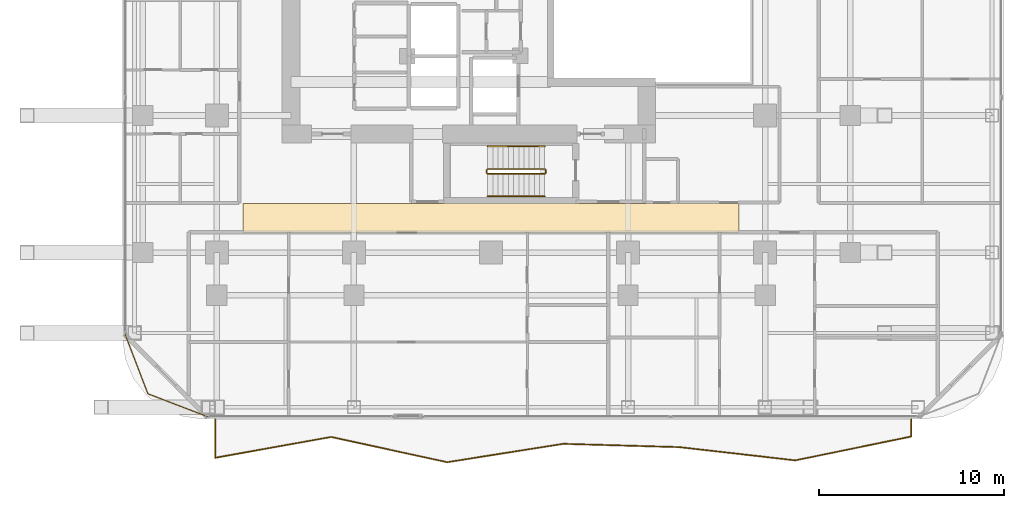
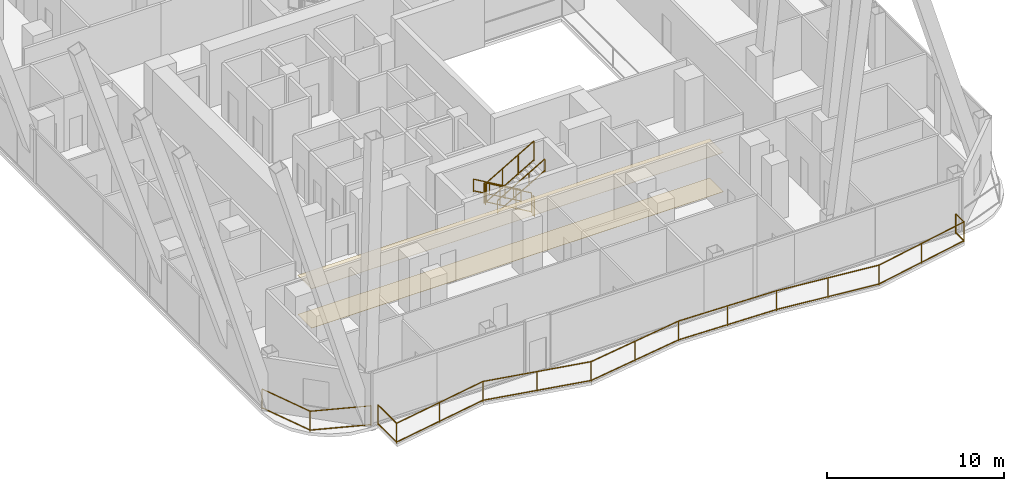
# One storey, part 30 of 32: 8 railings, 2 coverings.
"""IFC4 building model written with IfcOpenShell, lengths in metres."""

import ifcopenshell
import ifcopenshell.guid

model = None  # the IFC model being written
_history = None  # IfcOwnerHistory: only IFC2X3 demands one
_inside = {}  # id of a spatial element -> (the spatial element, [elements in it])
_under = {}  # id of a project, library or spatial element -> (it, [spatial elements below it])
_declared = {}  # id of a project -> (the project, [libraries it declares])
_typed = {}  # id of a type object -> (the type object, [elements of that type])
_made_of = {}  # id of a material, layer set ... -> (it, [elements and type objects made of it])


def new_model(schema):
    """Start an empty IFC model of exactly this schema.

    Asked for "IFC4X3", IfcOpenShell would pick the latest addendum, in which some entities
    have other attributes; the version numbers below select the first issue.
    IFC2X3 requires an IfcOwnerHistory on every rooted entity: one is made here for all.
    """
    global model, _history
    if schema == "IFC4X3":
        model = ifcopenshell.file(schema_version=(4, 3, 0, 0))
    else:
        model = ifcopenshell.file(schema=schema)
    _inside.clear()
    _under.clear()
    _declared.clear()
    _typed.clear()
    _made_of.clear()
    _history = None
    if model.schema == "IFC2X3":
        org = make("IfcOrganization", Name="unknown")
        user = make(
            "IfcPersonAndOrganization",
            ThePerson=make("IfcPerson", FamilyName="unknown"),
            TheOrganization=org,
        )
        app = make(
            "IfcApplication",
            ApplicationDeveloper=org,
            Version="unknown",
            ApplicationFullName="unknown",
            ApplicationIdentifier="unknown",
        )
        _history = make(
            "IfcOwnerHistory",
            OwningUser=user,
            OwningApplication=app,
            ChangeAction="ADDED",
            CreationDate=0,
        )
    return model


def make(cls, **values):
    """One entity of the class cls with the attributes given. An attribute that is None is left unset."""
    return model.create_entity(
        cls, **{name: value for name, value in values.items() if value is not None}
    )


def rooted(cls, **values):
    """An entity with a GlobalId (a new one), such as an element, a storey or a relation."""
    return make(cls, GlobalId=ifcopenshell.guid.new(), OwnerHistory=_history, **values)


def si_unit(unit_type, name, prefix=None):
    """IfcSIUnit, for example si_unit("LENGTHUNIT", "METRE", prefix="MILLI")."""
    return make("IfcSIUnit", UnitType=unit_type, Prefix=prefix, Name=name)


def assignment(units):
    """IfcUnitAssignment: the units of a project."""
    return None if units is None else make("IfcUnitAssignment", Units=units)


def point(xyz):
    """IfcCartesianPoint."""
    return None if xyz is None else make("IfcCartesianPoint", Coordinates=xyz)


def direction(xyz):
    """IfcDirection."""
    return None if xyz is None else make("IfcDirection", DirectionRatios=xyz)


def frame(location, z_axis=None, x_axis=None):
    """IfcAxis2Placement3D, a coordinate frame: its origin and axes. An axis left out is left unset."""
    return make(
        "IfcAxis2Placement3D",
        Location=point(location),
        Axis=direction(z_axis),
        RefDirection=direction(x_axis),
    )


def frame_2d(location, x_axis=None):
    """IfcAxis2Placement2D, a coordinate frame in the plane: its origin and x axis."""
    return make(
        "IfcAxis2Placement2D", Location=point(location), RefDirection=direction(x_axis)
    )


def origin():
    """The frame at (0, 0, 0) with its axes left unset."""
    return frame((0.0, 0.0, 0.0))


def origin_2d():
    """The frame at (0, 0) in the plane with its x axis left unset."""
    return frame_2d((0.0, 0.0))


def place(relative_to, where):
    """IfcLocalPlacement: puts the frame where relative to a parent placement (None: the world)."""
    return make(
        "IfcLocalPlacement", PlacementRelTo=relative_to, RelativePlacement=where
    )


def context(
    kind, dimensions, precision=None, world=None, true_north=None, identifier=None
):
    """IfcGeometricRepresentationContext, for example the 3D "Model" context."""
    return make(
        "IfcGeometricRepresentationContext",
        ContextIdentifier=identifier,
        ContextType=kind,
        CoordinateSpaceDimension=dimensions,
        Precision=precision,
        WorldCoordinateSystem=world,
        TrueNorth=true_north,
    )


def subcontext(parent, identifier, kind, view, scale=None):
    """IfcGeometricRepresentationSubContext, for example "Body" below "Model"."""
    return make(
        "IfcGeometricRepresentationSubContext",
        ContextIdentifier=identifier,
        ContextType=kind,
        ParentContext=parent,
        TargetScale=scale,
        TargetView=view,
    )


def project(units=None, contexts=None):
    """IfcProject with its units and contexts."""
    return rooted(
        "IfcProject",
        Name="project",
        RepresentationContexts=contexts,
        UnitsInContext=assignment(units),
    )


def spatial(cls, under=None, at=None, **own):
    """A site, building, storey or space (cls), placed at a placement, below another one or the project."""
    s = rooted(cls, ObjectPlacement=at, **own)
    if under is not None:
        _under.setdefault(under.id(), (under, []))[1].append(s)
    return s


def polyline(points):
    """IfcPolyline through the points."""
    return make("IfcPolyline", Points=[point(p) for p in points])


def profile(cls, at=None, kind="AREA", **sizes):
    """A parametric profile (cls). Its sizes go by their IFC names, for example OverallWidth=200.0."""
    return make(cls, ProfileType=kind, Position=at, **sizes)


def rectangle(**sizes):
    """IfcRectangleProfileDef."""
    return profile("IfcRectangleProfileDef", **sizes)


def outline(outer, holes=None, kind="AREA"):
    """IfcArbitraryClosedProfileDef: a profile drawn as a closed curve; with holes, ...WithVoids."""
    if holes is None:
        return make("IfcArbitraryClosedProfileDef", ProfileType=kind, OuterCurve=outer)
    return make(
        "IfcArbitraryProfileDefWithVoids",
        ProfileType=kind,
        OuterCurve=outer,
        InnerCurves=holes,
    )


def extrude(swept, where, along, depth):
    """IfcExtrudedAreaSolid: the profile swept, set in the frame where, extruded along a direction by depth."""
    return make(
        "IfcExtrudedAreaSolid",
        SweptArea=swept,
        Position=where,
        ExtrudedDirection=direction(along),
        Depth=depth,
    )


def shape(context_of_items, identifier, shape_type, items):
    """IfcShapeRepresentation: the items that make up one representation, for example the "Body"."""
    return make(
        "IfcShapeRepresentation",
        ContextOfItems=context_of_items,
        RepresentationIdentifier=identifier,
        RepresentationType=shape_type,
        Items=items,
    )


def material(Name=None, Category=None):
    """IfcMaterial."""
    return make("IfcMaterial", Name=Name, Category=Category)


def layer(
    of_material, thickness, ventilated=None, Name=None, Category=None, Priority=None
):
    """IfcMaterialLayer: one layer of a wall or slab, of a material (None: an air gap)."""
    return make(
        "IfcMaterialLayer",
        Material=of_material,
        LayerThickness=thickness,
        IsVentilated=ventilated,
        Name=Name,
        Category=Category,
        Priority=Priority,
    )


def layer_set(layers, Name=None):
    """IfcMaterialLayerSet."""
    return make("IfcMaterialLayerSet", MaterialLayers=layers, LayerSetName=Name)


def made_of(thing, what):
    """Note that an element or type object is made of a material, layer set ...; save() writes the relation."""
    if what is not None:
        _made_of.setdefault(what.id(), (what, []))[1].append(thing)
    return thing


def type_object(cls, material=None, **own):
    """A type object (cls), such as IfcWallType, which elements share."""
    return made_of(rooted(cls, **own), material)


def element(
    cls,
    number,
    at=None,
    inside=None,
    cuts=None,
    type_object=None,
    material=None,
    context=None,
    identifier="Body",
    shape_type=None,
    held_by="IfcProductDefinitionShape",
    body=None,
    shapes=None,
    **own,
):
    """One element of the class cls, such as IfcWall. Its Tag is "e" and its number.

    at: its placement. inside: the storey or other place that contains it. cuts: it is an
    opening in that element (IfcRelVoidsElement). A single representation is given by context,
    identifier, shape_type and body (its items); several are given by shapes. held_by: the class
    of the entity that holds the representations. save() writes the other relations.
    """
    e = rooted(cls, Tag="e%d" % number, ObjectPlacement=at, **own)
    if body is not None:
        shapes = [shape(context, identifier, shape_type, body)]
    if shapes is not None:
        e.Representation = make(held_by, Representations=shapes)
    if inside is not None:
        _inside.setdefault(inside.id(), (inside, []))[1].append(e)
    if cuts is not None:
        rooted(
            "IfcRelVoidsElement", RelatingBuildingElement=cuts, RelatedOpeningElement=e
        )
    if type_object is not None:
        _typed.setdefault(type_object.id(), (type_object, []))[1].append(e)
    return made_of(e, material)


def aggregate(whole, parts):
    """IfcRelAggregates: a whole, such as a stair, and the parts it consists of."""
    return rooted("IfcRelAggregates", RelatingObject=whole, RelatedObjects=parts)


def save(model, path):
    """Write the relations noted so far, then the file.

    IfcRelAggregates (storeys below a building ...), IfcRelContainedInSpatialStructure (elements
    in a storey), IfcRelDefinesByType, IfcRelAssociatesMaterial and IfcRelDeclares: one each for
    every whole, place, type object, material and project.
    """
    for whole, parts in _under.values():
        aggregate(whole, parts)
    for where, things in _inside.values():
        rooted(
            "IfcRelContainedInSpatialStructure",
            RelatedElements=things,
            RelatingStructure=where,
        )
    for kind, things in _typed.values():
        rooted("IfcRelDefinesByType", RelatedObjects=things, RelatingType=kind)
    for what, things in _made_of.values():
        rooted("IfcRelAssociatesMaterial", RelatedObjects=things, RelatingMaterial=what)
    for by, libraries in _declared.values():
        rooted("IfcRelDeclares", RelatingContext=by, RelatedDefinitions=libraries)
    model.write(path)


model = new_model("IFC4")

# Units and contexts
model_context = context("Model", 3, precision=1e-05, world=origin(), true_north=direction((0.0, 1.0)))
body_context = subcontext(model_context, "Body", "Model", "MODEL_VIEW")
ifc_project = project(units=[si_unit("LENGTHUNIT", "METRE"), si_unit("AREAUNIT", "SQUARE_METRE"), si_unit("VOLUMEUNIT", "CUBIC_METRE"), si_unit("PLANEANGLEUNIT", "RADIAN"), si_unit("MASSUNIT", "GRAM", prefix="KILO")], contexts=[model_context])

# Site, building, storey
site_placement = place(None, origin())
site = spatial("IfcSite", under=ifc_project, at=site_placement, CompositionType="ELEMENT")
building_placement = place(site_placement, origin())
building = spatial("IfcBuilding", under=site, at=building_placement, Name="Khorvyn Point Tower", CompositionType="ELEMENT")
storey_placement = place(building_placement, frame((0.0, 0.0, 148.5)))
storey = spatial("IfcBuildingStorey", under=building, at=storey_placement, Name="L37", CompositionType="ELEMENT", Elevation=148.5)

# Railings
ifc_material_1 = material(Name="Anodised aluminium 6063-T6 and laminated safety glass", Category="aluminium")
railing_type_1 = type_object("IfcRailingType", Name="Laminated Glass and Aluminium Balcony Guardrail 1400", PredefinedType="BALUSTRADE", material=ifc_material_1)
railing_1_placement = place(storey_placement, frame((-19.774169921875, -19.176025390625, 0.0)))
element("IfcRailing", 1, at=railing_1_placement, inside=storey, type_object=railing_type_1, Name="L37 Rounded Corner Edge Guardrail SW", PredefinedType="BALUSTRADE", context=body_context, shape_type="SweptSolid", body=[
    extrude(rectangle(XDim=0.048095703125, YDim=0.048095703125, at=origin_2d()), frame((0.0, 0.0, 1.3759765625), z_axis=(0.358382264808, -0.933574931257, 0.0), x_axis=(0.933574931257, 0.358382264808, 0.0)), (0.0, 0.0, 1.0), 3.481689453125),
    extrude(rectangle(XDim=0.048095703125, YDim=0.048095703125, at=origin_2d()), frame((0.0, 0.0, 0.080078125), z_axis=(0.358382264808, -0.933574931257, 0.0), x_axis=(0.933574931257, 0.358382264808, 0.0)), (0.0, 0.0, 1.0), 3.481689453125),
    extrude(rectangle(XDim=0.048095703125, YDim=0.048095703125, at=origin_2d()), frame((1.247802734375, -3.25048828125, 1.3759765625), z_axis=(0.933598390295, -0.358321148746, 0.0), x_axis=(0.358321148746, 0.933598390295, 0.0)), (0.0, 0.0, 1.0), 3.481689453125),
    extrude(rectangle(XDim=0.048095703125, YDim=0.048095703125, at=origin_2d()), frame((1.247802734375, -3.25048828125, 0.080078125), z_axis=(0.933598390295, -0.358321148746, 0.0), x_axis=(0.358321148746, 0.933598390295, 0.0)), (0.0, 0.0, 1.0), 3.481689453125),
    extrude(rectangle(XDim=0.0419921875, YDim=0.0419921875, at=origin_2d()), origin(), (0.0, 0.0, 1.0), 1.351806640625),
    extrude(rectangle(XDim=0.0419921875, YDim=0.0419921875, at=origin_2d()), frame((1.247802734375, -3.25048828125, 0.0)), (0.0, 0.0, 1.0), 1.351806640625),
    extrude(rectangle(XDim=0.0419921875, YDim=0.0419921875, at=origin_2d()), frame((4.498291015625, -4.498046875, 0.0)), (0.0, 0.0, 1.0), 1.351806640625),
])
railing_2_placement = place(storey_placement, frame((-14.89990234375, -23.800048828125, 0.0)))
element("IfcRailing", 2, at=railing_2_placement, inside=storey, type_object=railing_type_1, Name="L37 South Balcony Guardrail", PredefinedType="BALUSTRADE", context=body_context, shape_type="SweptSolid", body=[
    extrude(rectangle(XDim=0.048095703125, YDim=0.048095703125, at=origin_2d()), frame((0.0, 0.0, 1.3759765625), z_axis=(0.0, -1.0, 0.0), x_axis=(1.0, 0.0, 0.0)), (0.0, 0.0, 1.0), 2.08349609375),
    extrude(rectangle(XDim=0.048095703125, YDim=0.048095703125, at=origin_2d()), frame((0.0, 0.0, 0.080078125), z_axis=(0.0, -1.0, 0.0), x_axis=(1.0, 0.0, 0.0)), (0.0, 0.0, 1.0), 2.08349609375),
    extrude(rectangle(XDim=0.048095703125, YDim=0.048095703125, at=origin_2d()), frame((0.0, -2.08349609375, 1.3759765625), z_axis=(0.984225013532, 0.176921233148, 0.0), x_axis=(-0.176921233148, 0.984225013532, 0.0)), (0.0, 0.0, 1.0), 6.366943359375),
    extrude(rectangle(XDim=0.048095703125, YDim=0.048095703125, at=origin_2d()), frame((0.0, -2.08349609375, 0.080078125), z_axis=(0.984225013532, 0.176921233148, 0.0), x_axis=(-0.176921233148, 0.984225013532, 0.0)), (0.0, 0.0, 1.0), 6.366943359375),
    extrude(rectangle(XDim=0.048095703125, YDim=0.048095703125, at=origin_2d()), frame((6.2666015625, -0.95703125, 1.3759765625), z_axis=(0.97716055631, -0.212502346319, 0.0), x_axis=(0.212502346319, 0.97716055631, 0.0)), (0.0, 0.0, 1.0), 6.4130859375),
    extrude(rectangle(XDim=0.048095703125, YDim=0.048095703125, at=origin_2d()), frame((6.2666015625, -0.95703125, 0.080078125), z_axis=(0.97716055631, -0.212502346319, 0.0), x_axis=(0.212502346319, 0.97716055631, 0.0)), (0.0, 0.0, 1.0), 6.4130859375),
    extrude(rectangle(XDim=0.048095703125, YDim=0.048095703125, at=origin_2d()), frame((12.533203125, -2.31982421875, 1.3759765625), z_axis=(0.987714557358, 0.156268849051, 0.0), x_axis=(-0.156268849051, 0.987714557358, 0.0)), (0.0, 0.0, 1.0), 6.344482421875),
    extrude(rectangle(XDim=0.048095703125, YDim=0.048095703125, at=origin_2d()), frame((12.533203125, -2.31982421875, 0.080078125), z_axis=(0.987714557358, 0.156268849051, 0.0), x_axis=(-0.156268849051, 0.987714557358, 0.0)), (0.0, 0.0, 1.0), 6.344482421875),
    extrude(rectangle(XDim=0.048095703125, YDim=0.048095703125, at=origin_2d()), frame((18.7998046875, -1.328369140625, 1.3759765625), z_axis=(0.999594750209, -0.028466389902, 0.0), x_axis=(0.028466389902, 0.999594750209, 0.0)), (0.0, 0.0, 1.0), 6.269287109375),
    extrude(rectangle(XDim=0.048095703125, YDim=0.048095703125, at=origin_2d()), frame((18.7998046875, -1.328369140625, 0.080078125), z_axis=(0.999594750209, -0.028466389902, 0.0), x_axis=(0.028466389902, 0.999594750209, 0.0)), (0.0, 0.0, 1.0), 6.269287109375),
    extrude(rectangle(XDim=0.048095703125, YDim=0.048095703125, at=origin_2d()), frame((25.066650390625, -1.5068359375, 1.3759765625), z_axis=(0.993569675103, -0.113222350774, 0.0), x_axis=(0.113222350774, 0.993569675103, 0.0)), (0.0, 0.0, 1.0), 6.30712890625),
    extrude(rectangle(XDim=0.048095703125, YDim=0.048095703125, at=origin_2d()), frame((25.066650390625, -1.5068359375, 0.080078125), z_axis=(0.993569675103, -0.113222350774, 0.0), x_axis=(0.113222350774, 0.993569675103, 0.0)), (0.0, 0.0, 1.0), 6.30712890625),
    extrude(rectangle(XDim=0.048095703125, YDim=0.048095703125, at=origin_2d()), frame((31.333251953125, -2.220947265625, 1.3759765625), z_axis=(0.979506669863, 0.201411726801, 0.0), x_axis=(-0.201411726801, 0.979506669863, 0.0)), (0.0, 0.0, 1.0), 6.397705078125),
    extrude(rectangle(XDim=0.048095703125, YDim=0.048095703125, at=origin_2d()), frame((31.333251953125, -2.220947265625, 0.080078125), z_axis=(0.979506669863, 0.201411726801, 0.0), x_axis=(-0.201411726801, 0.979506669863, 0.0)), (0.0, 0.0, 1.0), 6.397705078125),
    extrude(rectangle(XDim=0.048095703125, YDim=0.048095703125, at=origin_2d()), frame((37.599853515625, -0.932373046875, 1.3759765625), z_axis=(0.0, 1.0, 0.0), x_axis=(-1.0, 0.0, 0.0)), (0.0, 0.0, 1.0), 0.932373046875),
    extrude(rectangle(XDim=0.048095703125, YDim=0.048095703125, at=origin_2d()), frame((37.599853515625, -0.932373046875, 0.080078125), z_axis=(0.0, 1.0, 0.0), x_axis=(-1.0, 0.0, 0.0)), (0.0, 0.0, 1.0), 0.932373046875),
    extrude(rectangle(XDim=0.0419921875, YDim=0.0419921875, at=origin_2d()), origin(), (0.0, 0.0, 1.0), 1.351806640625),
    extrude(rectangle(XDim=0.0419921875, YDim=0.0419921875, at=origin_2d()), frame((0.0, -2.08349609375, 0.0)), (0.0, 0.0, 1.0), 1.351806640625),
    extrude(rectangle(XDim=0.0419921875, YDim=0.0419921875, at=origin_2d()), frame((3.13330078125, -1.520263671875, 0.0)), (0.0, 0.0, 1.0), 1.351806640625),
    extrude(rectangle(XDim=0.0419921875, YDim=0.0419921875, at=origin_2d()), frame((6.2666015625, -0.95703125, 0.0)), (0.0, 0.0, 1.0), 1.351806640625),
    extrude(rectangle(XDim=0.0419921875, YDim=0.0419921875, at=origin_2d()), frame((9.39990234375, -1.638427734375, 0.0)), (0.0, 0.0, 1.0), 1.351806640625),
    extrude(rectangle(XDim=0.0419921875, YDim=0.0419921875, at=origin_2d()), frame((12.533203125, -2.31982421875, 0.0)), (0.0, 0.0, 1.0), 1.351806640625),
    extrude(rectangle(XDim=0.0419921875, YDim=0.0419921875, at=origin_2d()), frame((15.66650390625, -1.82421875, 0.0)), (0.0, 0.0, 1.0), 1.351806640625),
    extrude(rectangle(XDim=0.0419921875, YDim=0.0419921875, at=origin_2d()), frame((18.7998046875, -1.328369140625, 0.0)), (0.0, 0.0, 1.0), 1.351806640625),
    extrude(rectangle(XDim=0.0419921875, YDim=0.0419921875, at=origin_2d()), frame((21.93310546875, -1.41748046875, 0.0)), (0.0, 0.0, 1.0), 1.351806640625),
    extrude(rectangle(XDim=0.0419921875, YDim=0.0419921875, at=origin_2d()), frame((25.066650390625, -1.5068359375, 0.0)), (0.0, 0.0, 1.0), 1.351806640625),
    extrude(rectangle(XDim=0.0419921875, YDim=0.0419921875, at=origin_2d()), frame((28.199951171875, -1.86376953125, 0.0)), (0.0, 0.0, 1.0), 1.351806640625),
    extrude(rectangle(XDim=0.0419921875, YDim=0.0419921875, at=origin_2d()), frame((31.333251953125, -2.220947265625, 0.0)), (0.0, 0.0, 1.0), 1.351806640625),
    extrude(rectangle(XDim=0.0419921875, YDim=0.0419921875, at=origin_2d()), frame((34.466552734375, -1.57666015625, 0.0)), (0.0, 0.0, 1.0), 1.351806640625),
    extrude(rectangle(XDim=0.0419921875, YDim=0.0419921875, at=origin_2d()), frame((37.599853515625, -0.932373046875, 0.0)), (0.0, 0.0, 1.0), 1.351806640625),
    extrude(rectangle(XDim=0.0419921875, YDim=0.0419921875, at=origin_2d()), frame((37.599853515625, 0.0, 0.0)), (0.0, 0.0, 1.0), 1.351806640625),
])

# Coverings
ifc_material_2 = material(Name="Mineral-fibre acoustic ceiling board", Category="gypsum")
ifc_layer_1 = layer(ifc_material_2, 0.02001953125)
ifc_layer_set_1 = layer_set([ifc_layer_1], Name="Perforated Mineral-Fibre Acoustic Suspended Ceiling 20")
covering_type_1 = type_object("IfcCoveringType", Name="Perforated Mineral-Fibre Acoustic Suspended Ceiling 20", PredefinedType="CEILING", material=ifc_layer_set_1)
covering_1_placement = place(storey_placement, frame((0.0, 0.0, 2.699951171875)))
element("IfcCovering", 3, at=covering_1_placement, inside=storey, type_object=covering_type_1, Name="L37 South Corridor Acoustic Ceiling", PredefinedType="CEILING", context=body_context, shape_type="SweptSolid", body=[
    extrude(outline(polyline([(-13.39990234375, -13.7099609375), (13.39990234375, -13.7099609375), (13.39990234375, -12.139892578125), (-13.39990234375, -12.139892578125), (-13.39990234375, -13.7099609375)])), origin(), (0.0, 0.0, 1.0), 0.02001953125),
])
ifc_material_3 = material(Name="Vitrified porcelain terrazzo tile", Category="ceramic")
ifc_layer_2 = layer(ifc_material_3, 0.01806640625)
ifc_layer_set_2 = layer_set([ifc_layer_2], Name="Porcelain Terrazzo Corridor Floor Finish Tile 18")
covering_type_2 = type_object("IfcCoveringType", Name="Porcelain Terrazzo Corridor Floor Finish Tile 18", PredefinedType="FLOORING", material=ifc_layer_set_2)
covering_2_placement = place(storey_placement, origin())
element("IfcCovering", 4, at=covering_2_placement, inside=storey, type_object=covering_type_2, Name="L37 South Corridor Terrazzo Flooring", PredefinedType="FLOORING", context=body_context, shape_type="SweptSolid", body=[
    extrude(outline(polyline([(-13.39990234375, -13.7099609375), (13.39990234375, -13.7099609375), (13.39990234375, -12.139892578125), (-13.39990234375, -12.139892578125), (-13.39990234375, -13.7099609375)])), origin(), (0.0, 0.0, 1.0), 0.01806640625),
])

# Railings
ifc_material_4 = material(Name="Stainless steel 1.4301", Category="steel")
railing_type_2 = type_object("IfcRailingType", Name="Stainless Steel 304 Stair Pitch Handrail 900", PredefinedType="HANDRAIL", material=ifc_material_4)
railing_3_placement = place(storey_placement, frame((2.89990234375, -9.070068359375, 0.16259765625)))
element("IfcRailing", 5, at=railing_3_placement, inside=storey, type_object=railing_type_2, Name="L37 ST-01 stair handrail 1", PredefinedType="HANDRAIL", context=body_context, shape_type="SweptSolid", body=[
    extrude(rectangle(XDim=0.048095703125, YDim=0.048095703125, at=origin_2d()), frame((0.0, 0.0, 0.8759765625), z_axis=(-0.864903211148, 0.0, 0.501938676878), x_axis=(0.0, -1.0, 0.0)), (0.0, 0.0, 1.0), 3.560791015625),
    extrude(rectangle(XDim=0.048095703125, YDim=0.048095703125, at=origin_2d()), frame((0.0, 0.0, 0.080078125), z_axis=(-0.864903211148, 0.0, 0.501938676878), x_axis=(0.0, -1.0, 0.0)), (0.0, 0.0, 1.0), 3.560791015625),
    extrude(rectangle(XDim=0.0419921875, YDim=0.0419921875, at=origin_2d()), origin(), (0.0, 0.0, 1.0), 0.851806640625),
    extrude(rectangle(XDim=0.0419921875, YDim=0.0419921875, at=origin_2d()), frame((-1.026611328125, 0.0, 0.595703125)), (0.0, 0.0, 1.0), 0.851806640625),
    extrude(rectangle(XDim=0.0419921875, YDim=0.0419921875, at=origin_2d()), frame((-2.05322265625, 0.0, 1.191650390625)), (0.0, 0.0, 1.0), 0.851806640625),
    extrude(rectangle(XDim=0.0419921875, YDim=0.0419921875, at=origin_2d()), frame((-3.079833984375, 0.0, 1.787353515625)), (0.0, 0.0, 1.0), 0.851806640625),
])
railing_4_placement = place(storey_placement, frame((-0.179931640625, -11.77001953125, 2.112548828125)))
element("IfcRailing", 6, at=railing_4_placement, inside=storey, type_object=railing_type_2, Name="L37 ST-01 stair handrail 2", PredefinedType="HANDRAIL", context=body_context, shape_type="SweptSolid", body=[
    extrude(rectangle(XDim=0.048095703125, YDim=0.048095703125, at=origin_2d()), frame((0.0, 0.0, 0.8759765625), z_axis=(0.864903211148, 0.0, 0.501938676878), x_axis=(0.0, 1.0, 0.0)), (0.0, 0.0, 1.0), 3.560791015625),
    extrude(rectangle(XDim=0.048095703125, YDim=0.048095703125, at=origin_2d()), frame((0.0, 0.0, 0.080078125), z_axis=(0.864903211148, 0.0, 0.501938676878), x_axis=(0.0, 1.0, 0.0)), (0.0, 0.0, 1.0), 3.560791015625),
    extrude(rectangle(XDim=0.0419921875, YDim=0.0419921875, at=origin_2d()), origin(), (0.0, 0.0, 1.0), 0.851806640625),
    extrude(rectangle(XDim=0.0419921875, YDim=0.0419921875, at=origin_2d()), frame((1.026611328125, 0.0, 0.595703125)), (0.0, 0.0, 1.0), 0.851806640625),
    extrude(rectangle(XDim=0.0419921875, YDim=0.0419921875, at=origin_2d()), frame((2.05322265625, 0.0, 1.191650390625)), (0.0, 0.0, 1.0), 0.851806640625),
    extrude(rectangle(XDim=0.0419921875, YDim=0.0419921875, at=origin_2d()), frame((3.079833984375, 0.0, 1.787353515625)), (0.0, 0.0, 1.0), 0.851806640625),
])
railing_type_3 = type_object("IfcRailingType", Name="Stainless Steel 304 Stair Well Guardrail 1400", PredefinedType="GUARDRAIL", material=ifc_material_4)
railing_5_placement = place(storey_placement, frame((2.89990234375, -10.2900390625, 0.16259765625)))
element("IfcRailing", 7, at=railing_5_placement, inside=storey, type_object=railing_type_3, Name="L37 ST-01 stair guard 1", PredefinedType="GUARDRAIL", context=body_context, shape_type="SweptSolid", body=[
    extrude(rectangle(XDim=0.048095703125, YDim=0.048095703125, at=origin_2d()), frame((0.0, 0.0, 1.3759765625), z_axis=(-0.864903211148, 0.0, 0.501938676878), x_axis=(0.0, -1.0, 0.0)), (0.0, 0.0, 1.0), 3.560791015625),
    extrude(rectangle(XDim=0.048095703125, YDim=0.048095703125, at=origin_2d()), frame((0.0, 0.0, 0.080078125), z_axis=(-0.864903211148, 0.0, 0.501938676878), x_axis=(0.0, -1.0, 0.0)), (0.0, 0.0, 1.0), 3.560791015625),
    extrude(rectangle(XDim=0.0419921875, YDim=0.0419921875, at=origin_2d()), origin(), (0.0, 0.0, 1.0), 1.351806640625),
    extrude(rectangle(XDim=0.0419921875, YDim=0.0419921875, at=origin_2d()), frame((-1.026611328125, 0.0, 0.595703125)), (0.0, 0.0, 1.0), 1.351806640625),
    extrude(rectangle(XDim=0.0419921875, YDim=0.0419921875, at=origin_2d()), frame((-2.05322265625, 0.0, 1.191650390625)), (0.0, 0.0, 1.0), 1.351806640625),
    extrude(rectangle(XDim=0.0419921875, YDim=0.0419921875, at=origin_2d()), frame((-3.079833984375, 0.0, 1.787353515625)), (0.0, 0.0, 1.0), 1.351806640625),
])
railing_6_placement = place(storey_placement, frame((-0.22998046875, -10.340087890625, 1.949951171875)))
element("IfcRailing", 8, at=railing_6_placement, inside=storey, type_object=railing_type_3, Name="L37 ST-01 stair guard 2", PredefinedType="GUARDRAIL", context=body_context, shape_type="SweptSolid", body=[
    extrude(rectangle(XDim=0.048095703125, YDim=0.048095703125, at=origin_2d()), frame((0.0, 0.0, 1.3759765625), z_axis=(0.0, -1.0, 0.0), x_axis=(1.0, 0.0, 0.0)), (0.0, 0.0, 1.0), 0.159912109375),
    extrude(rectangle(XDim=0.048095703125, YDim=0.048095703125, at=origin_2d()), frame((0.0, 0.0, 0.080078125), z_axis=(0.0, -1.0, 0.0), x_axis=(1.0, 0.0, 0.0)), (0.0, 0.0, 1.0), 0.159912109375),
    extrude(rectangle(XDim=0.0419921875, YDim=0.0419921875, at=origin_2d()), origin(), (0.0, 0.0, 1.0), 1.351806640625),
    extrude(rectangle(XDim=0.0419921875, YDim=0.0419921875, at=origin_2d()), frame((0.0, -0.159912109375, 0.0)), (0.0, 0.0, 1.0), 1.351806640625),
])
railing_7_placement = place(storey_placement, frame((-0.179931640625, -10.550048828125, 2.112548828125)))
element("IfcRailing", 9, at=railing_7_placement, inside=storey, type_object=railing_type_3, Name="L37 ST-01 stair guard 3", PredefinedType="GUARDRAIL", context=body_context, shape_type="SweptSolid", body=[
    extrude(rectangle(XDim=0.048095703125, YDim=0.048095703125, at=origin_2d()), frame((0.0, 0.0, 1.3759765625), z_axis=(0.864903211148, 0.0, 0.501938676878), x_axis=(0.0, 1.0, 0.0)), (0.0, 0.0, 1.0), 3.560791015625),
    extrude(rectangle(XDim=0.048095703125, YDim=0.048095703125, at=origin_2d()), frame((0.0, 0.0, 0.080078125), z_axis=(0.864903211148, 0.0, 0.501938676878), x_axis=(0.0, 1.0, 0.0)), (0.0, 0.0, 1.0), 3.560791015625),
    extrude(rectangle(XDim=0.0419921875, YDim=0.0419921875, at=origin_2d()), origin(), (0.0, 0.0, 1.0), 1.351806640625),
    extrude(rectangle(XDim=0.0419921875, YDim=0.0419921875, at=origin_2d()), frame((1.026611328125, 0.0, 0.595703125)), (0.0, 0.0, 1.0), 1.351806640625),
    extrude(rectangle(XDim=0.0419921875, YDim=0.0419921875, at=origin_2d()), frame((2.05322265625, 0.0, 1.191650390625)), (0.0, 0.0, 1.0), 1.351806640625),
    extrude(rectangle(XDim=0.0419921875, YDim=0.0419921875, at=origin_2d()), frame((3.079833984375, 0.0, 1.787353515625)), (0.0, 0.0, 1.0), 1.351806640625),
])
railing_8_placement = place(storey_placement, frame((2.949951171875, -10.340087890625, 0.0)))
element("IfcRailing", 10, at=railing_8_placement, inside=storey, type_object=railing_type_3, Name="L37 ST-01 stair guard 4", PredefinedType="GUARDRAIL", context=body_context, shape_type="SweptSolid", body=[
    extrude(rectangle(XDim=0.048095703125, YDim=0.048095703125, at=origin_2d()), frame((0.0, 0.0, 1.3759765625), z_axis=(0.0, -1.0, 0.0), x_axis=(1.0, 0.0, 0.0)), (0.0, 0.0, 1.0), 0.159912109375),
    extrude(rectangle(XDim=0.048095703125, YDim=0.048095703125, at=origin_2d()), frame((0.0, 0.0, 0.080078125), z_axis=(0.0, -1.0, 0.0), x_axis=(1.0, 0.0, 0.0)), (0.0, 0.0, 1.0), 0.159912109375),
    extrude(rectangle(XDim=0.0419921875, YDim=0.0419921875, at=origin_2d()), origin(), (0.0, 0.0, 1.0), 1.351806640625),
    extrude(rectangle(XDim=0.0419921875, YDim=0.0419921875, at=origin_2d()), frame((0.0, -0.159912109375, 0.0)), (0.0, 0.0, 1.0), 1.351806640625),
])

save(model, "model.ifc")
